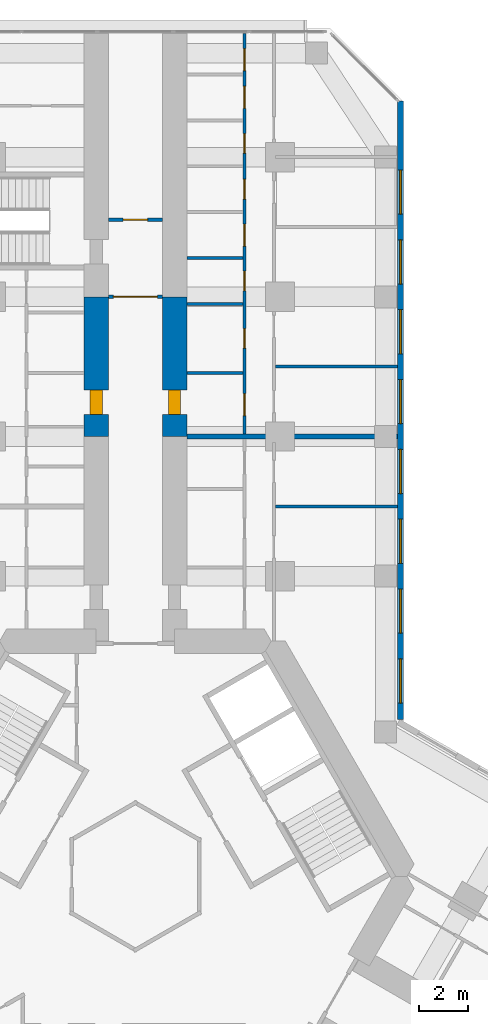
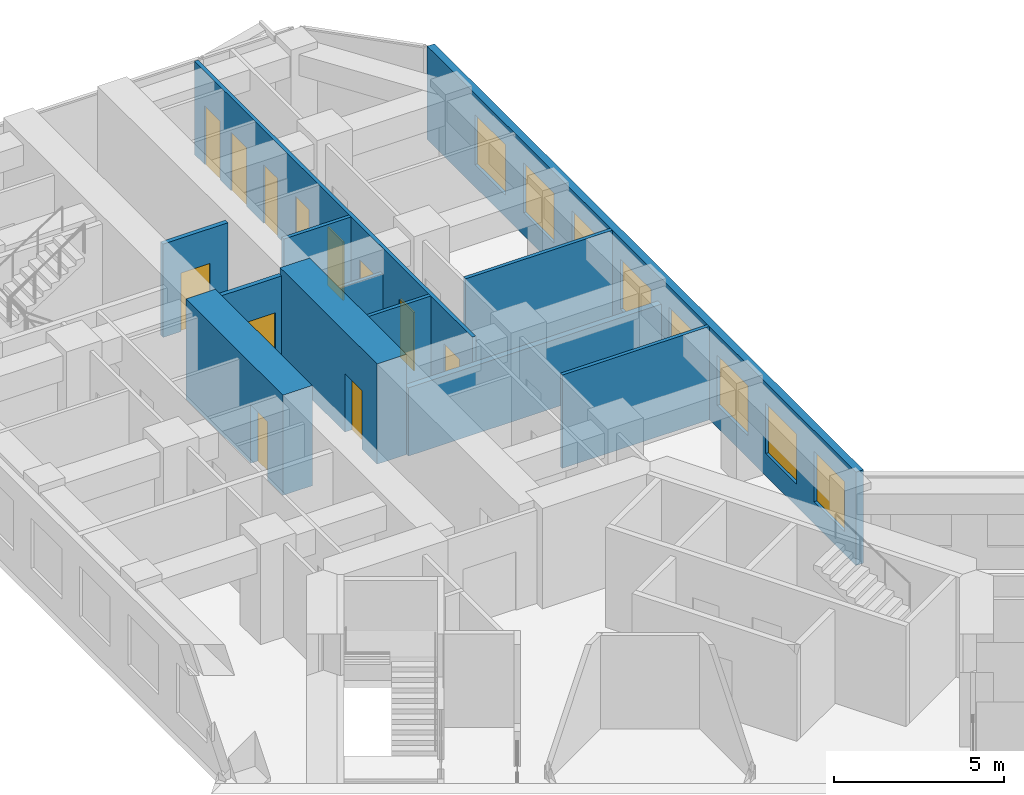
# One storey, part 19 of 22: 12 doors, 12 walls, 8 windows, 20 openings.
"""IFC4 building model written with IfcOpenShell, lengths in metres."""

from ifc_helpers import new_model, si_unit, direction, frame, frame_2d, origin, place, context, subcontext, project, spatial, rectangle, extrude, material, layer, layer_set, type_object, element, fill, save


model = new_model("IFC4")

# Units and contexts
model_context = context("Model", 3, precision=1e-05, world=origin(), true_north=direction((0.0, 1.0)))
body_context = subcontext(model_context, "Body", "Model", "MODEL_VIEW")
ifc_project = project(units=[si_unit("LENGTHUNIT", "METRE"), si_unit("AREAUNIT", "SQUARE_METRE"), si_unit("VOLUMEUNIT", "CUBIC_METRE"), si_unit("PLANEANGLEUNIT", "RADIAN"), si_unit("MASSUNIT", "GRAM", prefix="KILO")], contexts=[model_context])

# Site, building, storey
site_placement = place(None, origin())
site = spatial("IfcSite", under=ifc_project, at=site_placement, CompositionType="ELEMENT")
building_placement = place(site_placement, origin())
building = spatial("IfcBuilding", under=site, at=building_placement, Name="Kosmar Iwan School Tower", CompositionType="ELEMENT")
storey_placement = place(building_placement, frame((0.0, 0.0, 95.199951171875)))
storey = spatial("IfcBuildingStorey", under=building, at=storey_placement, Name="L23", CompositionType="ELEMENT", Elevation=95.199951171875)

# Wall, opening, door
ifc_material_1 = material(Name="Concrete C50/60", Category="concrete")
ifc_layer_1 = layer(ifc_material_1, 1.0)
ifc_layer_set_1 = layer_set([ifc_layer_1], Name="Corridor buttress wall 1000")
wall_type_1 = type_object("IfcWallType", Name="Corridor buttress wall 1000", PredefinedType="SHEAR", material=ifc_layer_set_1)
wall_1_placement = place(storey_placement, frame((-1.60009765625, 17.949951171875, 0.0), z_axis=(0.0, 0.0, 1.0), x_axis=(0.0, 1.0, 0.0)))
wall_1 = element("IfcWall", 1, at=wall_1_placement, inside=storey, type_object=wall_type_1, Name="Corridor wall AL bay 2", PredefinedType="SHEAR", context=body_context, shape_type="SweptSolid", body=[
    extrude(rectangle(XDim=5.699951171875, YDim=1.0, at=frame_2d((2.85009765625, 0.0))), origin(), (0.0, 0.0, 1.0), 3.60009765625),
])
opening_1_placement = place(wall_1_placement, frame((0.89990234375, 0.0, 0.0)))
opening_1 = element("IfcOpeningElement", 2, at=opening_1_placement, cuts=wall_1, Name="Opening D1", PredefinedType="OPENING", context=body_context, shape_type="SweptSolid", body=[
    extrude(rectangle(XDim=1.0, YDim=2.10009765625, at=frame_2d((0.5, 1.050048828125))), frame((0.0, 0.511962890625, 0.0), z_axis=(0.0, -1.0, 0.0), x_axis=(1.0, 0.0, 0.0)), (0.0, 0.0, 1.0), 1.02392578125),
])
ifc_material_2 = material(Name="Timber fire door in steel frame", Category="steel")
door_type_1 = type_object("IfcDoorType", Name="Flat entrance door 1000x2100", OperationType="SINGLE_SWING_LEFT", PredefinedType="DOOR", material=ifc_material_2)
door_1_placement = place(opening_1_placement, origin())
door_1 = element("IfcDoor", 3, at=door_1_placement, inside=storey, type_object=door_type_1, Name="Flat L23-AL2 entrance door", OperationType="SINGLE_SWING_LEFT", OverallHeight=2.10009765625, OverallWidth=1.0, PredefinedType="DOOR", context=body_context, shape_type="SweptSolid", body=[
    extrude(rectangle(XDim=1.0, YDim=2.10009765625, at=frame_2d((0.5, 1.050048828125))), frame((0.0, 0.25, 0.0), z_axis=(0.0, -1.0, 0.0), x_axis=(1.0, 0.0, 0.0)), (0.0, 0.0, 1.0), 0.5),
])
fill(opening_1, door_1)

wall_2_placement = place(storey_placement, frame((1.60009765625, 17.949951171875, 0.0), z_axis=(0.0, 0.0, 1.0), x_axis=(0.0, 1.0, 0.0)))
wall_2 = element("IfcWall", 4, at=wall_2_placement, inside=storey, type_object=wall_type_1, Name="Corridor wall AR bay 2", PredefinedType="SHEAR", context=body_context, shape_type="SweptSolid", body=[
    extrude(rectangle(XDim=5.699951171875, YDim=1.0, at=frame_2d((2.85009765625, 0.0))), origin(), (0.0, 0.0, 1.0), 3.60009765625),
])
opening_2_placement = place(wall_2_placement, frame((0.89990234375, 0.0, 0.0)))
opening_2 = element("IfcOpeningElement", 5, at=opening_2_placement, cuts=wall_2, Name="Opening D1", PredefinedType="OPENING", context=body_context, shape_type="SweptSolid", body=[
    extrude(rectangle(XDim=1.0, YDim=2.10009765625, at=frame_2d((0.5, 1.050048828125))), frame((0.0, 0.511962890625, 0.0), z_axis=(0.0, -1.0, 0.0), x_axis=(1.0, 0.0, 0.0)), (0.0, 0.0, 1.0), 1.02392578125),
])
door_2_placement = place(opening_2_placement, origin())
door_2 = element("IfcDoor", 6, at=door_2_placement, inside=storey, type_object=door_type_1, Name="Flat L23-AR2 entrance door", OperationType="SINGLE_SWING_LEFT", OverallHeight=2.10009765625, OverallWidth=1.0, PredefinedType="DOOR", context=body_context, shape_type="SweptSolid", body=[
    extrude(rectangle(XDim=1.0, YDim=2.10009765625, at=frame_2d((0.5, 1.050048828125))), frame((0.0, 0.25, 0.0), z_axis=(0.0, -1.0, 0.0), x_axis=(1.0, 0.0, 0.0)), (0.0, 0.0, 1.0), 0.5),
])
fill(opening_2, door_2)

ifc_material_3 = material(Name="Gypsum board on steel studs, fire-rated", Category="steel")
ifc_layer_2 = layer(ifc_material_3, 0.14990234375)
ifc_layer_set_2 = layer_set([ifc_layer_2], Name="Corridor end wall 150")
wall_type_2 = type_object("IfcWallType", Name="Corridor end wall 150", PredefinedType="PARTITIONING", material=ifc_layer_set_2)
wall_3_placement = place(storey_placement, frame((1.10009765625, 26.800048828125, 0.0), z_axis=(0.0, 0.0, 1.0), x_axis=(-1.0, 0.0, 0.0)))
wall_3 = element("IfcWall", 7, at=wall_3_placement, inside=storey, type_object=wall_type_2, Name="Partition L23-A-CE", PredefinedType="PARTITIONING", context=body_context, shape_type="SweptSolid", body=[
    extrude(rectangle(XDim=2.2001953125, YDim=0.14990234375, at=frame_2d((1.10009765625, 0.0))), origin(), (0.0, 0.0, 1.0), 3.35009765625),
])
opening_3_placement = place(wall_3_placement, frame((0.60009765625, 0.0, 0.0)))
opening_3 = element("IfcOpeningElement", 8, at=opening_3_placement, cuts=wall_3, Name="Opening D13", PredefinedType="OPENING", context=body_context, shape_type="SweptSolid", body=[
    extrude(rectangle(XDim=1.0, YDim=2.10009765625, at=frame_2d((0.5, 1.050048828125))), frame((0.0, 0.0869140625, 0.0), z_axis=(0.0, -1.0, 0.0), x_axis=(1.0, 0.0, 0.0)), (0.0, 0.0, 1.0), 0.173828125),
])
ifc_material_4 = material(Name="Timber fire door with vision panel", Category="wood")
door_type_2 = type_object("IfcDoorType", Name="Corridor end door 1000x2100", OperationType="SINGLE_SWING_LEFT", PredefinedType="DOOR", material=ifc_material_4)
door_3_placement = place(opening_3_placement, origin())
door_3 = element("IfcDoor", 9, at=door_3_placement, inside=storey, type_object=door_type_2, Name="Laundry and drying room door L23-A", OperationType="SINGLE_SWING_LEFT", OverallHeight=2.10009765625, OverallWidth=1.0, PredefinedType="DOOR", context=body_context, shape_type="SweptSolid", body=[
    extrude(rectangle(XDim=1.0, YDim=2.10009765625, at=frame_2d((0.5, 1.050048828125))), frame((0.0, 0.02490234375, 0.0), z_axis=(0.0, -1.0, 0.0), x_axis=(1.0, 0.0, 0.0)), (0.0, 0.0, 1.0), 0.050048828125),
])
fill(opening_3, door_3)

wall_4_placement = place(storey_placement, frame((1.10009765625, 23.64990234375, 0.0), z_axis=(0.0, 0.0, 1.0), x_axis=(-1.0, 0.0, 0.0)))
wall_4 = element("IfcWall", 10, at=wall_4_placement, inside=storey, type_object=wall_type_2, Name="Partition L23-A-HW", PredefinedType="PARTITIONING", context=body_context, shape_type="SweptSolid", body=[
    extrude(rectangle(XDim=2.2001953125, YDim=0.14990234375, at=frame_2d((1.10009765625, 0.0))), origin(), (0.0, 0.0, 1.0), 3.35009765625),
])
opening_4_placement = place(wall_4_placement, frame((0.199951171875, 0.0, 0.0)))
opening_4 = element("IfcOpeningElement", 11, at=opening_4_placement, cuts=wall_4, Name="Opening D9", PredefinedType="OPENING", context=body_context, shape_type="SweptSolid", body=[
    extrude(rectangle(XDim=1.800048828125, YDim=2.10009765625, at=frame_2d((0.89990234375, 1.050048828125))), frame((0.0, 0.0869140625, 0.0), z_axis=(0.0, -1.0, 0.0), x_axis=(1.0, 0.0, 0.0)), (0.0, 0.0, 1.0), 0.173828125),
])
ifc_material_5 = material(Name="Steel framed glazed smoke door", Category="steel")
door_type_3 = type_object("IfcDoorType", Name="Corridor smoke door pair 1800x2100", OperationType="DOUBLE_DOOR_DOUBLE_SWING", PredefinedType="DOOR", material=ifc_material_5)
door_4_placement = place(opening_4_placement, origin())
door_4 = element("IfcDoor", 12, at=door_4_placement, inside=storey, type_object=door_type_3, Name="Entrance vestibule smoke doors L23-A", OperationType="DOUBLE_DOOR_DOUBLE_SWING", OverallHeight=2.10009765625, OverallWidth=1.800048828125, PredefinedType="DOOR", context=body_context, shape_type="SweptSolid", body=[
    extrude(rectangle(XDim=1.800048828125, YDim=2.10009765625, at=frame_2d((0.89990234375, 1.050048828125))), frame((0.0, 0.02490234375, 0.0), z_axis=(0.0, -1.0, 0.0), x_axis=(1.0, 0.0, 0.0)), (0.0, 0.0, 1.0), 0.050048828125),
])
fill(opening_4, door_4)

# Wall
ifc_material_6 = material(Name="Gypsum board on steel studs", Category="steel")
ifc_layer_3 = layer(ifc_material_6, 0.1201171875)
ifc_layer_set_3 = layer_set([ifc_layer_3], Name="Dwelling partition 120")
wall_type_3 = type_object("IfcWallType", Name="Dwelling partition 120", PredefinedType="PARTITIONING", material=ifc_layer_set_3)
wall_5_placement = place(storey_placement, frame((5.7099609375, 15.10009765625, 0.0), z_axis=(0.0, 0.0, 1.0), x_axis=(1.0, 0.0, 0.0)))
element("IfcWall", 13, at=wall_5_placement, inside=storey, type_object=wall_type_3, Name="Partition L23-AR1-X1", PredefinedType="PARTITIONING", context=body_context, shape_type="SweptSolid", body=[
    extrude(rectangle(XDim=4.989990234375, YDim=0.1201171875, at=frame_2d((2.4951171875, 0.0))), origin(), (0.0, 0.0, 1.0), 3.35009765625),
])

# Wall, openings, doors
wall_6_placement = place(storey_placement, frame((4.449951171875, 18.050048828125, 0.0), z_axis=(0.0, 0.0, 1.0), x_axis=(0.0, 1.0, 0.0)))
wall_6 = element("IfcWall", 14, at=wall_6_placement, inside=storey, type_object=wall_type_3, Name="Partition L23-AR2-W1", PredefinedType="PARTITIONING", context=body_context, shape_type="SweptSolid", body=[
    extrude(rectangle(XDim=16.344970703125, YDim=0.1201171875, at=frame_2d((8.17236328125, 0.0))), origin(), (0.0, 0.0, 1.0), 3.35009765625),
])
opening_5_placement = place(wall_6_placement, frame((0.75, 0.0, 0.0)))
opening_5 = element("IfcOpeningElement", 15, at=opening_5_placement, cuts=wall_6, Name="Opening D2", PredefinedType="OPENING", context=body_context, shape_type="SweptSolid", body=[
    extrude(rectangle(XDim=0.89990234375, YDim=2.10009765625, at=frame_2d((0.449951171875, 1.050048828125))), frame((0.0, 0.072021484375, 0.0), z_axis=(0.0, -1.0, 0.0), x_axis=(1.0, 0.0, 0.0)), (0.0, 0.0, 1.0), 0.14404296875),
])
opening_6_placement = place(wall_6_placement, frame((3.505126953125, 0.0, 0.0)))
opening_6 = element("IfcOpeningElement", 16, at=opening_6_placement, cuts=wall_6, Name="Opening D3", PredefinedType="OPENING", context=body_context, shape_type="SweptSolid", body=[
    extrude(rectangle(XDim=0.800048828125, YDim=2.10009765625, at=frame_2d((0.39990234375, 1.050048828125))), frame((0.0, 0.072021484375, 0.0), z_axis=(0.0, -1.0, 0.0), x_axis=(1.0, 0.0, 0.0)), (0.0, 0.0, 1.0), 0.14404296875),
])
opening_7_placement = place(wall_6_placement, frame((5.8466796875, 0.0, 0.0)))
opening_7 = element("IfcOpeningElement", 17, at=opening_7_placement, cuts=wall_6, Name="Opening D3", PredefinedType="OPENING", context=body_context, shape_type="SweptSolid", body=[
    extrude(rectangle(XDim=0.800048828125, YDim=2.10009765625, at=frame_2d((0.39990234375, 1.050048828125))), frame((0.0, 0.072021484375, 0.0), z_axis=(0.0, -1.0, 0.0), x_axis=(1.0, 0.0, 0.0)), (0.0, 0.0, 1.0), 0.14404296875),
])
opening_8_placement = place(wall_6_placement, frame((7.669921875, 0.0, 0.0)))
opening_8 = element("IfcOpeningElement", 18, at=opening_8_placement, cuts=wall_6, Name="Opening D2", PredefinedType="OPENING", context=body_context, shape_type="SweptSolid", body=[
    extrude(rectangle(XDim=0.89990234375, YDim=2.10009765625, at=frame_2d((0.449951171875, 1.050048828125))), frame((0.0, 0.072021484375, 0.0), z_axis=(0.0, -1.0, 0.0), x_axis=(1.0, 0.0, 0.0)), (0.0, 0.0, 1.0), 0.14404296875),
])
opening_9_placement = place(wall_6_placement, frame((9.59326171875, 0.0, 0.0)))
opening_9 = element("IfcOpeningElement", 19, at=opening_9_placement, cuts=wall_6, Name="Opening D3", PredefinedType="OPENING", context=body_context, shape_type="SweptSolid", body=[
    extrude(rectangle(XDim=0.800048828125, YDim=2.10009765625, at=frame_2d((0.39990234375, 1.050048828125))), frame((0.0, 0.072021484375, 0.0), z_axis=(0.0, -1.0, 0.0), x_axis=(1.0, 0.0, 0.0)), (0.0, 0.0, 1.0), 0.14404296875),
])
opening_10_placement = place(wall_6_placement, frame((11.466796875, 0.0, 0.0)))
opening_10 = element("IfcOpeningElement", 20, at=opening_10_placement, cuts=wall_6, Name="Opening D3", PredefinedType="OPENING", context=body_context, shape_type="SweptSolid", body=[
    extrude(rectangle(XDim=0.800048828125, YDim=2.10009765625, at=frame_2d((0.39990234375, 1.050048828125))), frame((0.0, 0.072021484375, 0.0), z_axis=(0.0, -1.0, 0.0), x_axis=(1.0, 0.0, 0.0)), (0.0, 0.0, 1.0), 0.14404296875),
])
opening_11_placement = place(wall_6_placement, frame((13.2900390625, 0.0, 0.0)))
opening_11 = element("IfcOpeningElement", 21, at=opening_11_placement, cuts=wall_6, Name="Opening D2", PredefinedType="OPENING", context=body_context, shape_type="SweptSolid", body=[
    extrude(rectangle(XDim=0.89990234375, YDim=2.10009765625, at=frame_2d((0.449951171875, 1.050048828125))), frame((0.0, 0.072021484375, 0.0), z_axis=(0.0, -1.0, 0.0), x_axis=(1.0, 0.0, 0.0)), (0.0, 0.0, 1.0), 0.14404296875),
])
opening_12_placement = place(wall_6_placement, frame((14.836669921875, 0.0, 0.0)))
opening_12 = element("IfcOpeningElement", 22, at=opening_12_placement, cuts=wall_6, Name="Opening D2", PredefinedType="OPENING", context=body_context, shape_type="SweptSolid", body=[
    extrude(rectangle(XDim=0.89990234375, YDim=2.10009765625, at=frame_2d((0.449951171875, 1.050048828125))), frame((0.0, 0.072021484375, 0.0), z_axis=(0.0, -1.0, 0.0), x_axis=(1.0, 0.0, 0.0)), (0.0, 0.0, 1.0), 0.14404296875),
])
ifc_material_7 = material(Name="Timber door in timber frame", Category="wood")
door_type_4 = type_object("IfcDoorType", Name="Internal door 900x2100", OperationType="SINGLE_SWING_LEFT", PredefinedType="DOOR", material=ifc_material_7)
door_5_placement = place(opening_5_placement, origin())
door_5 = element("IfcDoor", 23, at=door_5_placement, inside=storey, type_object=door_type_4, Name="Entrance hall door L23-AR2-S1", OperationType="SINGLE_SWING_LEFT", OverallHeight=2.10009765625, OverallWidth=0.89990234375, PredefinedType="DOOR", context=body_context, shape_type="SweptSolid", body=[
    extrude(rectangle(XDim=0.89990234375, YDim=2.10009765625, at=frame_2d((0.449951171875, 1.050048828125))), frame((0.0, 0.02490234375, 0.0), z_axis=(0.0, -1.0, 0.0), x_axis=(1.0, 0.0, 0.0)), (0.0, 0.0, 1.0), 0.050048828125),
])
fill(opening_5, door_5)
door_6_placement = place(opening_8_placement, origin())
door_6 = element("IfcDoor", 24, at=door_6_placement, inside=storey, type_object=door_type_4, Name="Pantry door L23-AR2-S4", OperationType="SINGLE_SWING_RIGHT", OverallHeight=2.10009765625, OverallWidth=0.89990234375, PredefinedType="DOOR", context=body_context, shape_type="SweptSolid", body=[
    extrude(rectangle(XDim=0.89990234375, YDim=2.10009765625, at=frame_2d((0.449951171875, 1.050048828125))), frame((0.0, 0.02490234375, 0.0), z_axis=(0.0, -1.0, 0.0), x_axis=(1.0, 0.0, 0.0)), (0.0, 0.0, 1.0), 0.050048828125),
])
fill(opening_8, door_6)
door_7_placement = place(opening_11_placement, origin())
door_7 = element("IfcDoor", 25, at=door_7_placement, inside=storey, type_object=door_type_4, Name="Utility room door L23-AR2-S7", OperationType="SINGLE_SWING_LEFT", OverallHeight=2.10009765625, OverallWidth=0.89990234375, PredefinedType="DOOR", context=body_context, shape_type="SweptSolid", body=[
    extrude(rectangle(XDim=0.89990234375, YDim=2.10009765625, at=frame_2d((0.449951171875, 1.050048828125))), frame((0.0, 0.02490234375, 0.0), z_axis=(0.0, -1.0, 0.0), x_axis=(1.0, 0.0, 0.0)), (0.0, 0.0, 1.0), 0.050048828125),
])
fill(opening_11, door_7)
door_8_placement = place(opening_12_placement, origin())
door_8 = element("IfcDoor", 26, at=door_8_placement, inside=storey, type_object=door_type_4, Name="Dressing room door L23-AR2-S8", OperationType="SINGLE_SWING_LEFT", OverallHeight=2.10009765625, OverallWidth=0.89990234375, PredefinedType="DOOR", context=body_context, shape_type="SweptSolid", body=[
    extrude(rectangle(XDim=0.89990234375, YDim=2.10009765625, at=frame_2d((0.449951171875, 1.050048828125))), frame((0.0, 0.02490234375, 0.0), z_axis=(0.0, -1.0, 0.0), x_axis=(1.0, 0.0, 0.0)), (0.0, 0.0, 1.0), 0.050048828125),
])
fill(opening_12, door_8)
ifc_material_8 = material(Name="Timber door in timber frame", Category="wood")
door_type_5 = type_object("IfcDoorType", Name="Sanitary room door 800x2100", OperationType="SINGLE_SWING_LEFT", PredefinedType="DOOR", material=ifc_material_8)
door_9_placement = place(opening_6_placement, origin())
door_9 = element("IfcDoor", 27, at=door_9_placement, inside=storey, type_object=door_type_5, Name="Bathroom door L23-AR2-S2", OperationType="SINGLE_SWING_RIGHT", OverallHeight=2.10009765625, OverallWidth=0.800048828125, PredefinedType="DOOR", context=body_context, shape_type="SweptSolid", body=[
    extrude(rectangle(XDim=0.800048828125, YDim=2.10009765625, at=frame_2d((0.39990234375, 1.050048828125))), frame((0.0, 0.02490234375, 0.0), z_axis=(0.0, -1.0, 0.0), x_axis=(1.0, 0.0, 0.0)), (0.0, 0.0, 1.0), 0.050048828125),
])
fill(opening_6, door_9)
door_10_placement = place(opening_7_placement, origin())
door_10 = element("IfcDoor", 28, at=door_10_placement, inside=storey, type_object=door_type_5, Name="Shower room door L23-AR2-S3", OperationType="SINGLE_SWING_LEFT", OverallHeight=2.10009765625, OverallWidth=0.800048828125, PredefinedType="DOOR", context=body_context, shape_type="SweptSolid", body=[
    extrude(rectangle(XDim=0.800048828125, YDim=2.10009765625, at=frame_2d((0.39990234375, 1.050048828125))), frame((0.0, 0.02490234375, 0.0), z_axis=(0.0, -1.0, 0.0), x_axis=(1.0, 0.0, 0.0)), (0.0, 0.0, 1.0), 0.050048828125),
])
fill(opening_7, door_10)
door_11_placement = place(opening_9_placement, origin())
door_11 = element("IfcDoor", 29, at=door_11_placement, inside=storey, type_object=door_type_5, Name="WC door L23-AR2-S5", OperationType="SINGLE_SWING_LEFT", OverallHeight=2.10009765625, OverallWidth=0.800048828125, PredefinedType="DOOR", context=body_context, shape_type="SweptSolid", body=[
    extrude(rectangle(XDim=0.800048828125, YDim=2.10009765625, at=frame_2d((0.39990234375, 1.050048828125))), frame((0.0, 0.02490234375, 0.0), z_axis=(0.0, -1.0, 0.0), x_axis=(1.0, 0.0, 0.0)), (0.0, 0.0, 1.0), 0.050048828125),
])
fill(opening_9, door_11)
door_12_placement = place(opening_10_placement, origin())
door_12 = element("IfcDoor", 30, at=door_12_placement, inside=storey, type_object=door_type_5, Name="Store door L23-AR2-S6", OperationType="SINGLE_SWING_RIGHT", OverallHeight=2.10009765625, OverallWidth=0.800048828125, PredefinedType="DOOR", context=body_context, shape_type="SweptSolid", body=[
    extrude(rectangle(XDim=0.800048828125, YDim=2.10009765625, at=frame_2d((0.39990234375, 1.050048828125))), frame((0.0, 0.02490234375, 0.0), z_axis=(0.0, -1.0, 0.0), x_axis=(1.0, 0.0, 0.0)), (0.0, 0.0, 1.0), 0.050048828125),
])
fill(opening_10, door_12)

# Walls
wall_7_placement = place(storey_placement, frame((5.7099609375, 20.800048828125, 0.0), z_axis=(0.0, 0.0, 1.0), x_axis=(1.0, 0.0, 0.0)))
element("IfcWall", 31, at=wall_7_placement, inside=storey, type_object=wall_type_3, Name="Partition L23-AR2-X1", PredefinedType="PARTITIONING", context=body_context, shape_type="SweptSolid", body=[
    extrude(rectangle(XDim=4.989990234375, YDim=0.1201171875, at=frame_2d((2.4951171875, 0.0))), origin(), (0.0, 0.0, 1.0), 3.35009765625),
])
wall_8_placement = place(storey_placement, frame((2.10009765625, 20.550048828125, 0.0), z_axis=(0.0, 0.0, 1.0), x_axis=(1.0, 0.0, 0.0)))
element("IfcWall", 32, at=wall_8_placement, inside=storey, type_object=wall_type_3, Name="Partition L23-AR2-Y1", PredefinedType="PARTITIONING", context=body_context, shape_type="SweptSolid", body=[
    extrude(rectangle(XDim=2.289794921875, YDim=0.1201171875, at=frame_2d((1.14501953125, 0.0))), origin(), (0.0, 0.0, 1.0), 3.35009765625),
])
wall_9_placement = place(storey_placement, frame((2.10009765625, 23.360107421875, 0.0), z_axis=(0.0, 0.0, 1.0), x_axis=(1.0, 0.0, 0.0)))
element("IfcWall", 33, at=wall_9_placement, inside=storey, type_object=wall_type_3, Name="Partition L23-AR2-Y2", PredefinedType="PARTITIONING", context=body_context, shape_type="SweptSolid", body=[
    extrude(rectangle(XDim=2.289794921875, YDim=0.1201171875, at=frame_2d((1.14501953125, 0.0))), origin(), (0.0, 0.0, 1.0), 2.449951171875),
])
wall_10_placement = place(storey_placement, frame((2.10009765625, 25.2333984375, 0.0), z_axis=(0.0, 0.0, 1.0), x_axis=(1.0, 0.0, 0.0)))
element("IfcWall", 34, at=wall_10_placement, inside=storey, type_object=wall_type_3, Name="Partition L23-AR2-Y3", PredefinedType="PARTITIONING", context=body_context, shape_type="SweptSolid", body=[
    extrude(rectangle(XDim=2.289794921875, YDim=0.1201171875, at=frame_2d((1.14501953125, 0.0))), origin(), (0.0, 0.0, 1.0), 3.35009765625),
])

# Wall, openings, windows
ifc_material_9 = material(Name="Black aluminium rainscreen on insulated framing", Category="aluminium")
ifc_layer_4 = layer(ifc_material_9, 0.25)
ifc_layer_set_4 = layer_set([ifc_layer_4], Name="External wall rainscreen 250")
wall_type_4 = type_object("IfcWallType", Name="External wall rainscreen 250", PredefinedType="SOLIDWALL", material=ifc_layer_set_4)
wall_11_placement = place(storey_placement, frame((10.824951171875, 6.408935546875, 0.0), z_axis=(0.0, 0.0, 1.0), x_axis=(0.0, 1.0, 0.0)))
wall_11 = element("IfcWall", 35, at=wall_11_placement, inside=storey, type_object=wall_type_4, Name="External wall AR L23", PredefinedType="SOLIDWALL", context=body_context, shape_type="SweptSolid", body=[
    extrude(rectangle(XDim=25.226318359375, YDim=0.25, at=frame_2d((12.61328125, 0.0))), origin(), (0.0, 0.0, 1.0), 3.35009765625),
])
opening_13_placement = place(wall_11_placement, frame((0.666015625, 0.0, 0.800048828125)))
opening_13 = element("IfcOpeningElement", 36, at=opening_13_placement, cuts=wall_11, Name="Opening W1", PredefinedType="OPENING", context=body_context, shape_type="SweptSolid", body=[
    extrude(rectangle(XDim=1.800048828125, YDim=1.800048828125, at=frame_2d((0.89990234375, 0.89990234375))), frame((0.0, 0.136962890625, 0.0), z_axis=(0.0, -1.0, 0.0), x_axis=(1.0, 0.0, 0.0)), (0.0, 0.0, 1.0), 0.27392578125),
])
opening_14_placement = place(wall_11_placement, frame((3.51611328125, 0.0, 0.800048828125)))
opening_14 = element("IfcOpeningElement", 37, at=opening_14_placement, cuts=wall_11, Name="Opening W1", PredefinedType="OPENING", context=body_context, shape_type="SweptSolid", body=[
    extrude(rectangle(XDim=1.800048828125, YDim=1.800048828125, at=frame_2d((0.89990234375, 0.89990234375))), frame((0.0, 0.136962890625, 0.0), z_axis=(0.0, -1.0, 0.0), x_axis=(1.0, 0.0, 0.0)), (0.0, 0.0, 1.0), 0.27392578125),
])
opening_15_placement = place(wall_11_placement, frame((6.365966796875, 0.0, 0.800048828125)))
opening_15 = element("IfcOpeningElement", 38, at=opening_15_placement, cuts=wall_11, Name="Opening W1", PredefinedType="OPENING", context=body_context, shape_type="SweptSolid", body=[
    extrude(rectangle(XDim=1.800048828125, YDim=1.800048828125, at=frame_2d((0.89990234375, 0.89990234375))), frame((0.0, 0.136962890625, 0.0), z_axis=(0.0, -1.0, 0.0), x_axis=(1.0, 0.0, 0.0)), (0.0, 0.0, 1.0), 0.27392578125),
])
opening_16_placement = place(wall_11_placement, frame((9.216064453125, 0.0, 0.800048828125)))
opening_16 = element("IfcOpeningElement", 39, at=opening_16_placement, cuts=wall_11, Name="Opening W1", PredefinedType="OPENING", context=body_context, shape_type="SweptSolid", body=[
    extrude(rectangle(XDim=1.800048828125, YDim=1.800048828125, at=frame_2d((0.89990234375, 0.89990234375))), frame((0.0, 0.136962890625, 0.0), z_axis=(0.0, -1.0, 0.0), x_axis=(1.0, 0.0, 0.0)), (0.0, 0.0, 1.0), 0.27392578125),
])
opening_17_placement = place(wall_11_placement, frame((12.06591796875, 0.0, 0.800048828125)))
opening_17 = element("IfcOpeningElement", 40, at=opening_17_placement, cuts=wall_11, Name="Opening W1", PredefinedType="OPENING", context=body_context, shape_type="SweptSolid", body=[
    extrude(rectangle(XDim=1.800048828125, YDim=1.800048828125, at=frame_2d((0.89990234375, 0.89990234375))), frame((0.0, 0.136962890625, 0.0), z_axis=(0.0, -1.0, 0.0), x_axis=(1.0, 0.0, 0.0)), (0.0, 0.0, 1.0), 0.27392578125),
])
opening_18_placement = place(wall_11_placement, frame((14.916015625, 0.0, 0.800048828125)))
opening_18 = element("IfcOpeningElement", 41, at=opening_18_placement, cuts=wall_11, Name="Opening W1", PredefinedType="OPENING", context=body_context, shape_type="SweptSolid", body=[
    extrude(rectangle(XDim=1.800048828125, YDim=1.800048828125, at=frame_2d((0.89990234375, 0.89990234375))), frame((0.0, 0.136962890625, 0.0), z_axis=(0.0, -1.0, 0.0), x_axis=(1.0, 0.0, 0.0)), (0.0, 0.0, 1.0), 0.27392578125),
])
opening_19_placement = place(wall_11_placement, frame((17.76611328125, 0.0, 0.800048828125)))
opening_19 = element("IfcOpeningElement", 42, at=opening_19_placement, cuts=wall_11, Name="Opening W1", PredefinedType="OPENING", context=body_context, shape_type="SweptSolid", body=[
    extrude(rectangle(XDim=1.800048828125, YDim=1.800048828125, at=frame_2d((0.89990234375, 0.89990234375))), frame((0.0, 0.136962890625, 0.0), z_axis=(0.0, -1.0, 0.0), x_axis=(1.0, 0.0, 0.0)), (0.0, 0.0, 1.0), 0.27392578125),
])
opening_20_placement = place(wall_11_placement, frame((20.615966796875, 0.0, 0.800048828125)))
opening_20 = element("IfcOpeningElement", 43, at=opening_20_placement, cuts=wall_11, Name="Opening W1", PredefinedType="OPENING", context=body_context, shape_type="SweptSolid", body=[
    extrude(rectangle(XDim=1.800048828125, YDim=1.800048828125, at=frame_2d((0.89990234375, 0.89990234375))), frame((0.0, 0.136962890625, 0.0), z_axis=(0.0, -1.0, 0.0), x_axis=(1.0, 0.0, 0.0)), (0.0, 0.0, 1.0), 0.27392578125),
])
ifc_material_10 = material(Name="Black aluminium frame with dark triple glazing", Category="aluminium")
window_type = type_object("IfcWindowType", Name="Window 1800x1800", PartitioningType="SINGLE_PANEL", PredefinedType="WINDOW", material=ifc_material_10)
window_1_placement = place(opening_13_placement, origin())
window_1 = element("IfcWindow", 44, at=window_1_placement, inside=storey, type_object=window_type, Name="Window AR L23 -1", OverallHeight=1.800048828125, OverallWidth=1.800048828125, PartitioningType="SINGLE_PANEL", PredefinedType="WINDOW", context=body_context, shape_type="SweptSolid", body=[
    extrude(rectangle(XDim=1.800048828125, YDim=1.800048828125, at=frame_2d((0.89990234375, 0.89990234375))), frame((0.0, 0.030029296875, 0.0), z_axis=(0.0, -1.0, 0.0), x_axis=(1.0, 0.0, 0.0)), (0.0, 0.0, 1.0), 0.06005859375),
])
fill(opening_13, window_1)
window_2_placement = place(opening_14_placement, origin())
window_2 = element("IfcWindow", 45, at=window_2_placement, inside=storey, type_object=window_type, Name="Window AR L23 0", OverallHeight=1.800048828125, OverallWidth=1.800048828125, PartitioningType="SINGLE_PANEL", PredefinedType="WINDOW", context=body_context, shape_type="SweptSolid", body=[
    extrude(rectangle(XDim=1.800048828125, YDim=1.800048828125, at=frame_2d((0.89990234375, 0.89990234375))), frame((0.0, 0.030029296875, 0.0), z_axis=(0.0, -1.0, 0.0), x_axis=(1.0, 0.0, 0.0)), (0.0, 0.0, 1.0), 0.06005859375),
])
fill(opening_14, window_2)
window_3_placement = place(opening_15_placement, origin())
window_3 = element("IfcWindow", 46, at=window_3_placement, inside=storey, type_object=window_type, Name="Window AR L23 1", OverallHeight=1.800048828125, OverallWidth=1.800048828125, PartitioningType="SINGLE_PANEL", PredefinedType="WINDOW", context=body_context, shape_type="SweptSolid", body=[
    extrude(rectangle(XDim=1.800048828125, YDim=1.800048828125, at=frame_2d((0.89990234375, 0.89990234375))), frame((0.0, 0.030029296875, 0.0), z_axis=(0.0, -1.0, 0.0), x_axis=(1.0, 0.0, 0.0)), (0.0, 0.0, 1.0), 0.06005859375),
])
fill(opening_15, window_3)
window_4_placement = place(opening_16_placement, origin())
window_4 = element("IfcWindow", 47, at=window_4_placement, inside=storey, type_object=window_type, Name="Window AR L23 2", OverallHeight=1.800048828125, OverallWidth=1.800048828125, PartitioningType="SINGLE_PANEL", PredefinedType="WINDOW", context=body_context, shape_type="SweptSolid", body=[
    extrude(rectangle(XDim=1.800048828125, YDim=1.800048828125, at=frame_2d((0.89990234375, 0.89990234375))), frame((0.0, 0.030029296875, 0.0), z_axis=(0.0, -1.0, 0.0), x_axis=(1.0, 0.0, 0.0)), (0.0, 0.0, 1.0), 0.06005859375),
])
fill(opening_16, window_4)
window_5_placement = place(opening_17_placement, origin())
window_5 = element("IfcWindow", 48, at=window_5_placement, inside=storey, type_object=window_type, Name="Window AR L23 3", OverallHeight=1.800048828125, OverallWidth=1.800048828125, PartitioningType="SINGLE_PANEL", PredefinedType="WINDOW", context=body_context, shape_type="SweptSolid", body=[
    extrude(rectangle(XDim=1.800048828125, YDim=1.800048828125, at=frame_2d((0.89990234375, 0.89990234375))), frame((0.0, 0.030029296875, 0.0), z_axis=(0.0, -1.0, 0.0), x_axis=(1.0, 0.0, 0.0)), (0.0, 0.0, 1.0), 0.06005859375),
])
fill(opening_17, window_5)
window_6_placement = place(opening_18_placement, origin())
window_6 = element("IfcWindow", 49, at=window_6_placement, inside=storey, type_object=window_type, Name="Window AR L23 4", OverallHeight=1.800048828125, OverallWidth=1.800048828125, PartitioningType="SINGLE_PANEL", PredefinedType="WINDOW", context=body_context, shape_type="SweptSolid", body=[
    extrude(rectangle(XDim=1.800048828125, YDim=1.800048828125, at=frame_2d((0.89990234375, 0.89990234375))), frame((0.0, 0.030029296875, 0.0), z_axis=(0.0, -1.0, 0.0), x_axis=(1.0, 0.0, 0.0)), (0.0, 0.0, 1.0), 0.06005859375),
])
fill(opening_18, window_6)
window_7_placement = place(opening_19_placement, origin())
window_7 = element("IfcWindow", 50, at=window_7_placement, inside=storey, type_object=window_type, Name="Window AR L23 5", OverallHeight=1.800048828125, OverallWidth=1.800048828125, PartitioningType="SINGLE_PANEL", PredefinedType="WINDOW", context=body_context, shape_type="SweptSolid", body=[
    extrude(rectangle(XDim=1.800048828125, YDim=1.800048828125, at=frame_2d((0.89990234375, 0.89990234375))), frame((0.0, 0.030029296875, 0.0), z_axis=(0.0, -1.0, 0.0), x_axis=(1.0, 0.0, 0.0)), (0.0, 0.0, 1.0), 0.06005859375),
])
fill(opening_19, window_7)
window_8_placement = place(opening_20_placement, origin())
window_8 = element("IfcWindow", 51, at=window_8_placement, inside=storey, type_object=window_type, Name="Window AR L23 6", OverallHeight=1.800048828125, OverallWidth=1.800048828125, PartitioningType="SINGLE_PANEL", PredefinedType="WINDOW", context=body_context, shape_type="SweptSolid", body=[
    extrude(rectangle(XDim=1.800048828125, YDim=1.800048828125, at=frame_2d((0.89990234375, 0.89990234375))), frame((0.0, 0.030029296875, 0.0), z_axis=(0.0, -1.0, 0.0), x_axis=(1.0, 0.0, 0.0)), (0.0, 0.0, 1.0), 0.06005859375),
])
fill(opening_20, window_8)

# Wall
ifc_material_11 = material(Name="Concrete block masonry", Category="masonry")
ifc_layer_5 = layer(ifc_material_11, 0.199951171875)
ifc_layer_set_5 = layer_set([ifc_layer_5], Name="Party wall 200")
wall_type_5 = type_object("IfcWallType", Name="Party wall 200", PredefinedType="PARTITIONING", material=ifc_layer_set_5)
wall_12_placement = place(storey_placement, frame((2.10009765625, 17.949951171875, 0.0), z_axis=(0.0, 0.0, 1.0), x_axis=(1.0, 0.0, 0.0)))
element("IfcWall", 52, at=wall_12_placement, inside=storey, type_object=wall_type_5, Name="Partition L23-AR2-PW", PredefinedType="PARTITIONING", context=body_context, shape_type="SweptSolid", body=[
    extrude(rectangle(XDim=8.599853515625, YDim=0.199951171875, at=frame_2d((4.2998046875, 0.0))), origin(), (0.0, 0.0, 1.0), 2.449951171875),
])

save(model, "model.ifc")
